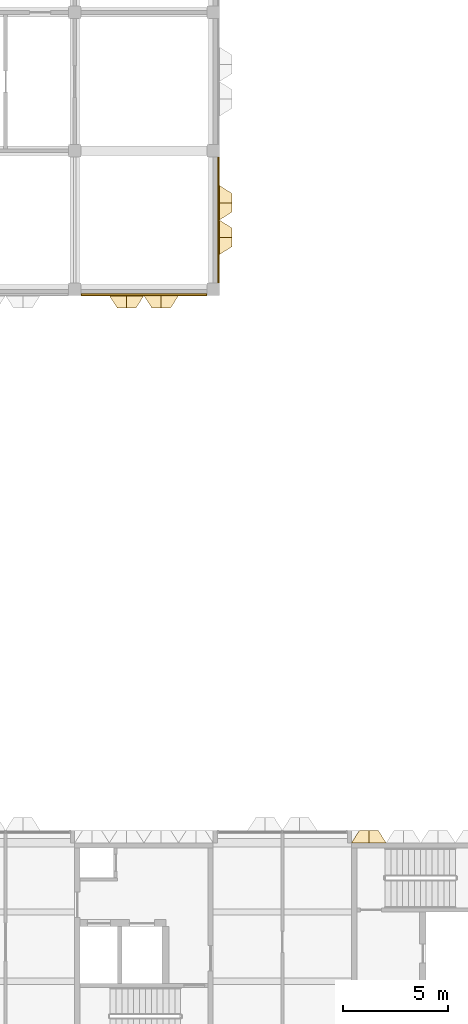
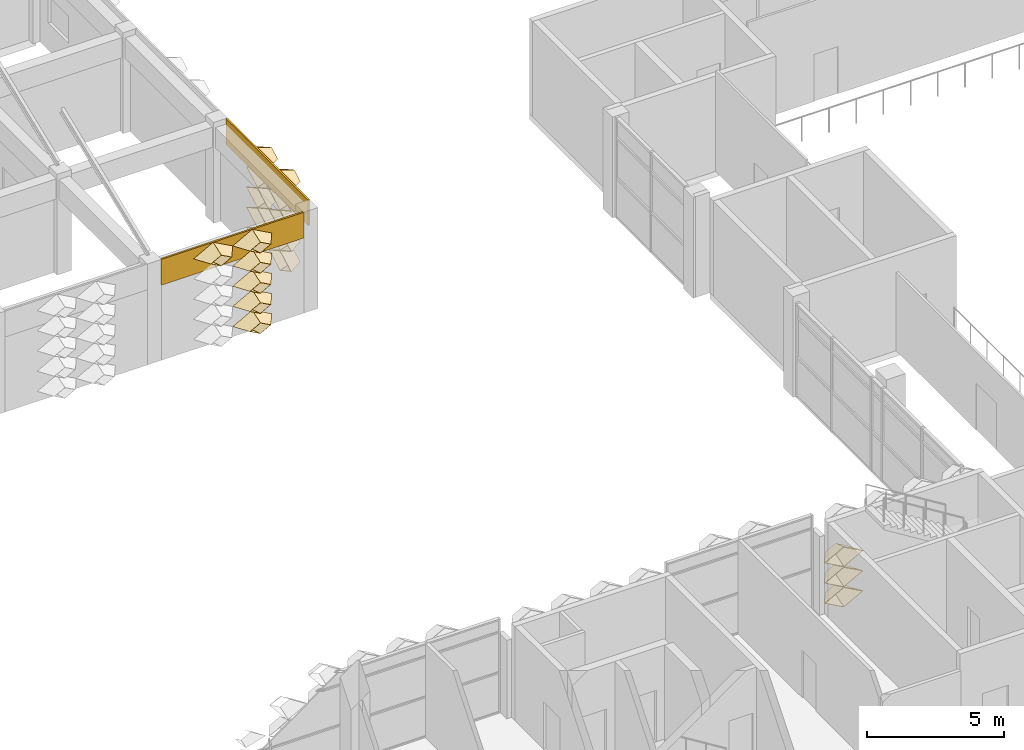
# One storey, part 72 of 102: 21 coverings.
"""IFC4 building model written with IfcOpenShell, lengths in metres."""

import ifcopenshell
import ifcopenshell.guid

model = None  # the IFC model being written
_history = None  # IfcOwnerHistory: only IFC2X3 demands one
_inside = {}  # id of a spatial element -> (the spatial element, [elements in it])
_under = {}  # id of a project, library or spatial element -> (it, [spatial elements below it])
_declared = {}  # id of a project -> (the project, [libraries it declares])
_typed = {}  # id of a type object -> (the type object, [elements of that type])
_made_of = {}  # id of a material, layer set ... -> (it, [elements and type objects made of it])


def new_model(schema):
    """Start an empty IFC model of exactly this schema.

    Asked for "IFC4X3", IfcOpenShell would pick the latest addendum, in which some entities
    have other attributes; the version numbers below select the first issue.
    IFC2X3 requires an IfcOwnerHistory on every rooted entity: one is made here for all.
    """
    global model, _history
    if schema == "IFC4X3":
        model = ifcopenshell.file(schema_version=(4, 3, 0, 0))
    else:
        model = ifcopenshell.file(schema=schema)
    _inside.clear()
    _under.clear()
    _declared.clear()
    _typed.clear()
    _made_of.clear()
    _history = None
    if model.schema == "IFC2X3":
        org = make("IfcOrganization", Name="unknown")
        user = make(
            "IfcPersonAndOrganization",
            ThePerson=make("IfcPerson", FamilyName="unknown"),
            TheOrganization=org,
        )
        app = make(
            "IfcApplication",
            ApplicationDeveloper=org,
            Version="unknown",
            ApplicationFullName="unknown",
            ApplicationIdentifier="unknown",
        )
        _history = make(
            "IfcOwnerHistory",
            OwningUser=user,
            OwningApplication=app,
            ChangeAction="ADDED",
            CreationDate=0,
        )
    return model


def make(cls, **values):
    """One entity of the class cls with the attributes given. An attribute that is None is left unset."""
    return model.create_entity(
        cls, **{name: value for name, value in values.items() if value is not None}
    )


def entity(cls, *values):
    """Any entity or typed value of the class cls, its attributes in the order of the schema. None: left unset."""
    e = model.create_entity(cls)
    for i, value in enumerate(values):
        if value is not None:
            e[i] = value
    return e


def rooted(cls, **values):
    """An entity with a GlobalId (a new one), such as an element, a storey or a relation."""
    return make(cls, GlobalId=ifcopenshell.guid.new(), OwnerHistory=_history, **values)


def si_unit(unit_type, name, prefix=None):
    """IfcSIUnit, for example si_unit("LENGTHUNIT", "METRE", prefix="MILLI")."""
    return make("IfcSIUnit", UnitType=unit_type, Prefix=prefix, Name=name)


def assignment(units):
    """IfcUnitAssignment: the units of a project."""
    return None if units is None else make("IfcUnitAssignment", Units=units)


def point(xyz):
    """IfcCartesianPoint."""
    return None if xyz is None else make("IfcCartesianPoint", Coordinates=xyz)


def direction(xyz):
    """IfcDirection."""
    return None if xyz is None else make("IfcDirection", DirectionRatios=xyz)


def frame(location, z_axis=None, x_axis=None):
    """IfcAxis2Placement3D, a coordinate frame: its origin and axes. An axis left out is left unset."""
    return make(
        "IfcAxis2Placement3D",
        Location=point(location),
        Axis=direction(z_axis),
        RefDirection=direction(x_axis),
    )


def frame_2d(location, x_axis=None):
    """IfcAxis2Placement2D, a coordinate frame in the plane: its origin and x axis."""
    return make(
        "IfcAxis2Placement2D", Location=point(location), RefDirection=direction(x_axis)
    )


def origin():
    """The frame at (0, 0, 0) with its axes left unset."""
    return frame((0.0, 0.0, 0.0))


def place(relative_to, where):
    """IfcLocalPlacement: puts the frame where relative to a parent placement (None: the world)."""
    return make(
        "IfcLocalPlacement", PlacementRelTo=relative_to, RelativePlacement=where
    )


def context(
    kind, dimensions, precision=None, world=None, true_north=None, identifier=None
):
    """IfcGeometricRepresentationContext, for example the 3D "Model" context."""
    return make(
        "IfcGeometricRepresentationContext",
        ContextIdentifier=identifier,
        ContextType=kind,
        CoordinateSpaceDimension=dimensions,
        Precision=precision,
        WorldCoordinateSystem=world,
        TrueNorth=true_north,
    )


def subcontext(parent, identifier, kind, view, scale=None):
    """IfcGeometricRepresentationSubContext, for example "Body" below "Model"."""
    return make(
        "IfcGeometricRepresentationSubContext",
        ContextIdentifier=identifier,
        ContextType=kind,
        ParentContext=parent,
        TargetScale=scale,
        TargetView=view,
    )


def project(units=None, contexts=None):
    """IfcProject with its units and contexts."""
    return rooted(
        "IfcProject",
        Name="project",
        RepresentationContexts=contexts,
        UnitsInContext=assignment(units),
    )


def spatial(cls, under=None, at=None, **own):
    """A site, building, storey or space (cls), placed at a placement, below another one or the project."""
    s = rooted(cls, ObjectPlacement=at, **own)
    if under is not None:
        _under.setdefault(under.id(), (under, []))[1].append(s)
    return s


def profile(cls, at=None, kind="AREA", **sizes):
    """A parametric profile (cls). Its sizes go by their IFC names, for example OverallWidth=200.0."""
    return make(cls, ProfileType=kind, Position=at, **sizes)


def rectangle(**sizes):
    """IfcRectangleProfileDef."""
    return profile("IfcRectangleProfileDef", **sizes)


def extrude(swept, where, along, depth):
    """IfcExtrudedAreaSolid: the profile swept, set in the frame where, extruded along a direction by depth."""
    return make(
        "IfcExtrudedAreaSolid",
        SweptArea=swept,
        Position=where,
        ExtrudedDirection=direction(along),
        Depth=depth,
    )


def shape(context_of_items, identifier, shape_type, items):
    """IfcShapeRepresentation: the items that make up one representation, for example the "Body"."""
    return make(
        "IfcShapeRepresentation",
        ContextOfItems=context_of_items,
        RepresentationIdentifier=identifier,
        RepresentationType=shape_type,
        Items=items,
    )


def material(Name=None, Category=None):
    """IfcMaterial."""
    return make("IfcMaterial", Name=Name, Category=Category)


def layer(
    of_material, thickness, ventilated=None, Name=None, Category=None, Priority=None
):
    """IfcMaterialLayer: one layer of a wall or slab, of a material (None: an air gap)."""
    return make(
        "IfcMaterialLayer",
        Material=of_material,
        LayerThickness=thickness,
        IsVentilated=ventilated,
        Name=Name,
        Category=Category,
        Priority=Priority,
    )


def layer_set(layers, Name=None):
    """IfcMaterialLayerSet."""
    return make("IfcMaterialLayerSet", MaterialLayers=layers, LayerSetName=Name)


def made_of(thing, what):
    """Note that an element or type object is made of a material, layer set ...; save() writes the relation."""
    if what is not None:
        _made_of.setdefault(what.id(), (what, []))[1].append(thing)
    return thing


def type_object(cls, material=None, **own):
    """A type object (cls), such as IfcWallType, which elements share."""
    return made_of(rooted(cls, **own), material)


def element(
    cls,
    number,
    at=None,
    inside=None,
    cuts=None,
    type_object=None,
    material=None,
    context=None,
    identifier="Body",
    shape_type=None,
    held_by="IfcProductDefinitionShape",
    body=None,
    shapes=None,
    **own,
):
    """One element of the class cls, such as IfcWall. Its Tag is "e" and its number.

    at: its placement. inside: the storey or other place that contains it. cuts: it is an
    opening in that element (IfcRelVoidsElement). A single representation is given by context,
    identifier, shape_type and body (its items); several are given by shapes. held_by: the class
    of the entity that holds the representations. save() writes the other relations.
    """
    e = rooted(cls, Tag="e%d" % number, ObjectPlacement=at, **own)
    if body is not None:
        shapes = [shape(context, identifier, shape_type, body)]
    if shapes is not None:
        e.Representation = make(held_by, Representations=shapes)
    if inside is not None:
        _inside.setdefault(inside.id(), (inside, []))[1].append(e)
    if cuts is not None:
        rooted(
            "IfcRelVoidsElement", RelatingBuildingElement=cuts, RelatedOpeningElement=e
        )
    if type_object is not None:
        _typed.setdefault(type_object.id(), (type_object, []))[1].append(e)
    return made_of(e, material)


def aggregate(whole, parts):
    """IfcRelAggregates: a whole, such as a stair, and the parts it consists of."""
    return rooted("IfcRelAggregates", RelatingObject=whole, RelatedObjects=parts)


def save(model, path):
    """Write the relations noted so far, then the file.

    IfcRelAggregates (storeys below a building ...), IfcRelContainedInSpatialStructure (elements
    in a storey), IfcRelDefinesByType, IfcRelAssociatesMaterial and IfcRelDeclares: one each for
    every whole, place, type object, material and project.
    """
    for whole, parts in _under.values():
        aggregate(whole, parts)
    for where, things in _inside.values():
        rooted(
            "IfcRelContainedInSpatialStructure",
            RelatedElements=things,
            RelatingStructure=where,
        )
    for kind, things in _typed.values():
        rooted("IfcRelDefinesByType", RelatedObjects=things, RelatingType=kind)
    for what, things in _made_of.values():
        rooted("IfcRelAssociatesMaterial", RelatedObjects=things, RelatingMaterial=what)
    for by, libraries in _declared.values():
        rooted("IfcRelDeclares", RelatingContext=by, RelatedDefinitions=libraries)
    model.write(path)


model = new_model("IFC4")

# Units and contexts
model_context = context("Model", 3, precision=1e-05, world=origin(), true_north=direction((0.0, 1.0)))
body_context = subcontext(model_context, "Body", "Model", "MODEL_VIEW")
ifc_project = project(units=[si_unit("LENGTHUNIT", "METRE"), si_unit("AREAUNIT", "SQUARE_METRE"), si_unit("VOLUMEUNIT", "CUBIC_METRE"), si_unit("PLANEANGLEUNIT", "RADIAN"), si_unit("MASSUNIT", "GRAM", prefix="KILO")], contexts=[model_context])

# Site, building, storey
site_placement = place(None, origin())
site = spatial("IfcSite", under=ifc_project, at=site_placement, CompositionType="ELEMENT")
building_placement = place(site_placement, origin())
building = spatial("IfcBuilding", under=site, at=building_placement, Name="Lantern Court Research Institute", CompositionType="ELEMENT")
storey_placement = place(building_placement, frame((0.0, 0.0, 9.89990234375)))
storey = spatial("IfcBuildingStorey", under=building, at=storey_placement, Name="L02", CompositionType="ELEMENT", Elevation=9.89990234375)

# Coverings
ifc_material_1 = material(Name="Aluminium composite panel with mineral wool insulation", Category="aluminium")
ifc_layer_1 = layer(ifc_material_1, 0.074951171875)
ifc_layer_set_1 = layer_set([ifc_layer_1], Name="Aluminium composite panel with mineral wool insulation")
covering_type_1 = type_object("IfcCoveringType", Name="Edge fascia panel 75 aluminium faced", PredefinedType="CLADDING", material=ifc_layer_set_1)
for number, where, z_axis, x_axis, name in (
    (1, (26.66259765625, 55.800048828125, 3.35009765625), (0.0, 0.0, 1.0), (0.0, -1.0, 0.0), "Edge fascia V3E L02 01"),
    (2, (26.10009765625, 49.237548828125, 3.35009765625), (0.0, 0.0, 1.0), (-1.0, 0.0, 0.0), "Edge fascia V3S L02 03"),
):
    element("IfcCovering", number, at=place(storey_placement, frame(where, z_axis=z_axis, x_axis=x_axis)), inside=storey, type_object=covering_type_1, Name=name, PredefinedType="CLADDING", context=body_context, shape_type="SweptSolid", body=[
        extrude(rectangle(XDim=6.0, YDim=0.074951171875, at=frame_2d((3.0, 0.0))), origin(), (0.0, 0.0, 1.0), 1.14990234375),
    ])
ifc_material_2 = material(Name="Anodised aluminium", Category="aluminium")
ifc_layer_2 = layer(ifc_material_2, 0.01611328125)
ifc_layer_set_2 = layer_set([ifc_layer_2], Name="Anodised aluminium")
covering_type_2 = type_object("IfcCoveringType", Name="Fin cassette 1650 x 900 x 600 aluminium", PredefinedType="CLADDING", material=ifc_layer_set_2)
covering_1_placement = place(storey_placement, frame((26.699951171875, 51.97509765625, 0.4501953125), z_axis=(1.0, 0.0, 0.0), x_axis=(0.0, 1.0, 0.0)))
cartesian_point_1 = entity("IfcCartesianPoint", [0.824951171875, 0.0])
cartesian_point_2 = entity("IfcCartesianPoint", [0.79150390625, 0.0])
cartesian_point_3 = entity("IfcCartesianPoint", [0.44189453125, 0.0])
cartesian_point_4 = entity("IfcCartesianPoint", [0.43359375, 0.0])
element("IfcCovering", 3, at=covering_1_placement, inside=storey, type_object=covering_type_2, Name="Fin cassette V3E-L02 1.32", PredefinedType="CLADDING", context=body_context, shape_type="SweptSolid", body=[
    entity("IfcExtrudedAreaSolidTapered", entity("IfcArbitraryProfileDefWithVoids", "AREA", None, entity("IfcPolyline", [cartesian_point_1, entity("IfcCartesianPoint", [0.0, 0.449951171875]), entity("IfcCartesianPoint", [-0.824951171875, 0.0]), entity("IfcCartesianPoint", [0.0, -0.449951171875]), cartesian_point_1]), [entity("IfcPolyline", [cartesian_point_2, entity("IfcCartesianPoint", [0.0, 0.431884765625]), entity("IfcCartesianPoint", [-0.79150390625, 0.0]), entity("IfcCartesianPoint", [0.0, -0.431884765625]), cartesian_point_2])]), entity("IfcAxis2Placement3D", entity("IfcCartesianPoint", [0.0, 0.0, 0.0])), entity("IfcDirection", [0.0, 0.0, 1.0]), 0.60009765625, entity("IfcArbitraryProfileDefWithVoids", "AREA", None, entity("IfcPolyline", [cartesian_point_3, entity("IfcCartesianPoint", [0.0, 0.240966796875]), entity("IfcCartesianPoint", [-0.44189453125, 0.0]), entity("IfcCartesianPoint", [0.0, -0.240966796875]), cartesian_point_3]), [entity("IfcPolyline", [cartesian_point_4, entity("IfcCartesianPoint", [0.0, 0.236572265625]), entity("IfcCartesianPoint", [-0.43359375, 0.0]), entity("IfcCartesianPoint", [0.0, -0.236572265625]), cartesian_point_4])])),
])
covering_2_placement = place(storey_placement, frame((26.699951171875, 53.625, 0.4501953125), z_axis=(1.0, 0.0, 0.0), x_axis=(0.0, 1.0, 0.0)))
cartesian_point_5 = entity("IfcCartesianPoint", [0.824951171875, 0.0])
cartesian_point_6 = entity("IfcCartesianPoint", [0.79150390625, 0.0])
cartesian_point_7 = entity("IfcCartesianPoint", [0.44189453125, 0.0])
cartesian_point_8 = entity("IfcCartesianPoint", [0.43359375, 0.0])
element("IfcCovering", 4, at=covering_2_placement, inside=storey, type_object=covering_type_2, Name="Fin cassette V3E-L02 1.33", PredefinedType="CLADDING", context=body_context, shape_type="SweptSolid", body=[
    entity("IfcExtrudedAreaSolidTapered", entity("IfcArbitraryProfileDefWithVoids", "AREA", None, entity("IfcPolyline", [cartesian_point_5, entity("IfcCartesianPoint", [0.0, 0.449951171875]), entity("IfcCartesianPoint", [-0.824951171875, 0.0]), entity("IfcCartesianPoint", [0.0, -0.449951171875]), cartesian_point_5]), [entity("IfcPolyline", [cartesian_point_6, entity("IfcCartesianPoint", [0.0, 0.431884765625]), entity("IfcCartesianPoint", [-0.79150390625, 0.0]), entity("IfcCartesianPoint", [0.0, -0.431884765625]), cartesian_point_6])]), entity("IfcAxis2Placement3D", entity("IfcCartesianPoint", [0.0, 0.0, 0.0])), entity("IfcDirection", [0.0, 0.0, 1.0]), 0.60009765625, entity("IfcArbitraryProfileDefWithVoids", "AREA", None, entity("IfcPolyline", [cartesian_point_7, entity("IfcCartesianPoint", [0.0, 0.240966796875]), entity("IfcCartesianPoint", [-0.44189453125, 0.0]), entity("IfcCartesianPoint", [0.0, -0.240966796875]), cartesian_point_7]), [entity("IfcPolyline", [cartesian_point_8, entity("IfcCartesianPoint", [0.0, 0.236572265625]), entity("IfcCartesianPoint", [-0.43359375, 0.0]), entity("IfcCartesianPoint", [0.0, -0.236572265625]), cartesian_point_8])])),
])
covering_3_placement = place(storey_placement, frame((26.699951171875, 51.97509765625, 1.35009765625), z_axis=(1.0, 0.0, 0.0), x_axis=(0.0, 1.0, 0.0)))
cartesian_point_9 = entity("IfcCartesianPoint", [0.824951171875, 0.0])
cartesian_point_10 = entity("IfcCartesianPoint", [0.79150390625, 0.0])
cartesian_point_11 = entity("IfcCartesianPoint", [0.44189453125, 0.0])
cartesian_point_12 = entity("IfcCartesianPoint", [0.43359375, 0.0])
element("IfcCovering", 5, at=covering_3_placement, inside=storey, type_object=covering_type_2, Name="Fin cassette V3E-L02 2.32", PredefinedType="CLADDING", context=body_context, shape_type="SweptSolid", body=[
    entity("IfcExtrudedAreaSolidTapered", entity("IfcArbitraryProfileDefWithVoids", "AREA", None, entity("IfcPolyline", [cartesian_point_9, entity("IfcCartesianPoint", [0.0, 0.449951171875]), entity("IfcCartesianPoint", [-0.824951171875, 0.0]), entity("IfcCartesianPoint", [0.0, -0.449951171875]), cartesian_point_9]), [entity("IfcPolyline", [cartesian_point_10, entity("IfcCartesianPoint", [0.0, 0.431884765625]), entity("IfcCartesianPoint", [-0.79150390625, 0.0]), entity("IfcCartesianPoint", [0.0, -0.431884765625]), cartesian_point_10])]), entity("IfcAxis2Placement3D", entity("IfcCartesianPoint", [0.0, 0.0, 0.0])), entity("IfcDirection", [0.0, 0.0, 1.0]), 0.60009765625, entity("IfcArbitraryProfileDefWithVoids", "AREA", None, entity("IfcPolyline", [cartesian_point_11, entity("IfcCartesianPoint", [0.0, 0.240966796875]), entity("IfcCartesianPoint", [-0.44189453125, 0.0]), entity("IfcCartesianPoint", [0.0, -0.240966796875]), cartesian_point_11]), [entity("IfcPolyline", [cartesian_point_12, entity("IfcCartesianPoint", [0.0, 0.236572265625]), entity("IfcCartesianPoint", [-0.43359375, 0.0]), entity("IfcCartesianPoint", [0.0, -0.236572265625]), cartesian_point_12])])),
])
covering_4_placement = place(storey_placement, frame((26.699951171875, 53.625, 1.35009765625), z_axis=(1.0, 0.0, 0.0), x_axis=(0.0, 1.0, 0.0)))
cartesian_point_13 = entity("IfcCartesianPoint", [0.824951171875, 0.0])
cartesian_point_14 = entity("IfcCartesianPoint", [0.79150390625, 0.0])
cartesian_point_15 = entity("IfcCartesianPoint", [0.44189453125, 0.0])
cartesian_point_16 = entity("IfcCartesianPoint", [0.43359375, 0.0])
element("IfcCovering", 6, at=covering_4_placement, inside=storey, type_object=covering_type_2, Name="Fin cassette V3E-L02 2.33", PredefinedType="CLADDING", context=body_context, shape_type="SweptSolid", body=[
    entity("IfcExtrudedAreaSolidTapered", entity("IfcArbitraryProfileDefWithVoids", "AREA", None, entity("IfcPolyline", [cartesian_point_13, entity("IfcCartesianPoint", [0.0, 0.449951171875]), entity("IfcCartesianPoint", [-0.824951171875, 0.0]), entity("IfcCartesianPoint", [0.0, -0.449951171875]), cartesian_point_13]), [entity("IfcPolyline", [cartesian_point_14, entity("IfcCartesianPoint", [0.0, 0.431884765625]), entity("IfcCartesianPoint", [-0.79150390625, 0.0]), entity("IfcCartesianPoint", [0.0, -0.431884765625]), cartesian_point_14])]), entity("IfcAxis2Placement3D", entity("IfcCartesianPoint", [0.0, 0.0, 0.0])), entity("IfcDirection", [0.0, 0.0, 1.0]), 0.60009765625, entity("IfcArbitraryProfileDefWithVoids", "AREA", None, entity("IfcPolyline", [cartesian_point_15, entity("IfcCartesianPoint", [0.0, 0.240966796875]), entity("IfcCartesianPoint", [-0.44189453125, 0.0]), entity("IfcCartesianPoint", [0.0, -0.240966796875]), cartesian_point_15]), [entity("IfcPolyline", [cartesian_point_16, entity("IfcCartesianPoint", [0.0, 0.236572265625]), entity("IfcCartesianPoint", [-0.43359375, 0.0]), entity("IfcCartesianPoint", [0.0, -0.236572265625]), cartesian_point_16])])),
])
covering_5_placement = place(storey_placement, frame((26.699951171875, 51.97509765625, 2.25), z_axis=(1.0, 0.0, 0.0), x_axis=(0.0, 1.0, 0.0)))
cartesian_point_17 = entity("IfcCartesianPoint", [0.824951171875, 0.0])
cartesian_point_18 = entity("IfcCartesianPoint", [0.79150390625, 0.0])
cartesian_point_19 = entity("IfcCartesianPoint", [0.44189453125, 0.0])
cartesian_point_20 = entity("IfcCartesianPoint", [0.43359375, 0.0])
element("IfcCovering", 7, at=covering_5_placement, inside=storey, type_object=covering_type_2, Name="Fin cassette V3E-L02 3.32", PredefinedType="CLADDING", context=body_context, shape_type="SweptSolid", body=[
    entity("IfcExtrudedAreaSolidTapered", entity("IfcArbitraryProfileDefWithVoids", "AREA", None, entity("IfcPolyline", [cartesian_point_17, entity("IfcCartesianPoint", [0.0, 0.449951171875]), entity("IfcCartesianPoint", [-0.824951171875, 0.0]), entity("IfcCartesianPoint", [0.0, -0.449951171875]), cartesian_point_17]), [entity("IfcPolyline", [cartesian_point_18, entity("IfcCartesianPoint", [0.0, 0.431884765625]), entity("IfcCartesianPoint", [-0.79150390625, 0.0]), entity("IfcCartesianPoint", [0.0, -0.431884765625]), cartesian_point_18])]), entity("IfcAxis2Placement3D", entity("IfcCartesianPoint", [0.0, 0.0, 0.0])), entity("IfcDirection", [0.0, 0.0, 1.0]), 0.60009765625, entity("IfcArbitraryProfileDefWithVoids", "AREA", None, entity("IfcPolyline", [cartesian_point_19, entity("IfcCartesianPoint", [0.0, 0.240966796875]), entity("IfcCartesianPoint", [-0.44189453125, 0.0]), entity("IfcCartesianPoint", [0.0, -0.240966796875]), cartesian_point_19]), [entity("IfcPolyline", [cartesian_point_20, entity("IfcCartesianPoint", [0.0, 0.236572265625]), entity("IfcCartesianPoint", [-0.43359375, 0.0]), entity("IfcCartesianPoint", [0.0, -0.236572265625]), cartesian_point_20])])),
])
covering_6_placement = place(storey_placement, frame((26.699951171875, 53.625, 2.25), z_axis=(1.0, 0.0, 0.0), x_axis=(0.0, 1.0, 0.0)))
cartesian_point_21 = entity("IfcCartesianPoint", [0.824951171875, 0.0])
cartesian_point_22 = entity("IfcCartesianPoint", [0.79150390625, 0.0])
cartesian_point_23 = entity("IfcCartesianPoint", [0.44189453125, 0.0])
cartesian_point_24 = entity("IfcCartesianPoint", [0.43359375, 0.0])
element("IfcCovering", 8, at=covering_6_placement, inside=storey, type_object=covering_type_2, Name="Fin cassette V3E-L02 3.33", PredefinedType="CLADDING", context=body_context, shape_type="SweptSolid", body=[
    entity("IfcExtrudedAreaSolidTapered", entity("IfcArbitraryProfileDefWithVoids", "AREA", None, entity("IfcPolyline", [cartesian_point_21, entity("IfcCartesianPoint", [0.0, 0.449951171875]), entity("IfcCartesianPoint", [-0.824951171875, 0.0]), entity("IfcCartesianPoint", [0.0, -0.449951171875]), cartesian_point_21]), [entity("IfcPolyline", [cartesian_point_22, entity("IfcCartesianPoint", [0.0, 0.431884765625]), entity("IfcCartesianPoint", [-0.79150390625, 0.0]), entity("IfcCartesianPoint", [0.0, -0.431884765625]), cartesian_point_22])]), entity("IfcAxis2Placement3D", entity("IfcCartesianPoint", [0.0, 0.0, 0.0])), entity("IfcDirection", [0.0, 0.0, 1.0]), 0.60009765625, entity("IfcArbitraryProfileDefWithVoids", "AREA", None, entity("IfcPolyline", [cartesian_point_23, entity("IfcCartesianPoint", [0.0, 0.240966796875]), entity("IfcCartesianPoint", [-0.44189453125, 0.0]), entity("IfcCartesianPoint", [0.0, -0.240966796875]), cartesian_point_23]), [entity("IfcPolyline", [cartesian_point_24, entity("IfcCartesianPoint", [0.0, 0.236572265625]), entity("IfcCartesianPoint", [-0.43359375, 0.0]), entity("IfcCartesianPoint", [0.0, -0.236572265625]), cartesian_point_24])])),
])
covering_7_placement = place(storey_placement, frame((26.699951171875, 51.97509765625, 3.150146484375), z_axis=(1.0, 0.0, 0.0), x_axis=(0.0, 1.0, 0.0)))
cartesian_point_25 = entity("IfcCartesianPoint", [0.824951171875, 0.0])
cartesian_point_26 = entity("IfcCartesianPoint", [0.79150390625, 0.0])
cartesian_point_27 = entity("IfcCartesianPoint", [0.44189453125, 0.0])
cartesian_point_28 = entity("IfcCartesianPoint", [0.43359375, 0.0])
element("IfcCovering", 9, at=covering_7_placement, inside=storey, type_object=covering_type_2, Name="Fin cassette V3E-L02 4.32", PredefinedType="CLADDING", context=body_context, shape_type="SweptSolid", body=[
    entity("IfcExtrudedAreaSolidTapered", entity("IfcArbitraryProfileDefWithVoids", "AREA", None, entity("IfcPolyline", [cartesian_point_25, entity("IfcCartesianPoint", [0.0, 0.449951171875]), entity("IfcCartesianPoint", [-0.824951171875, 0.0]), entity("IfcCartesianPoint", [0.0, -0.449951171875]), cartesian_point_25]), [entity("IfcPolyline", [cartesian_point_26, entity("IfcCartesianPoint", [0.0, 0.431884765625]), entity("IfcCartesianPoint", [-0.79150390625, 0.0]), entity("IfcCartesianPoint", [0.0, -0.431884765625]), cartesian_point_26])]), entity("IfcAxis2Placement3D", entity("IfcCartesianPoint", [0.0, 0.0, 0.0])), entity("IfcDirection", [0.0, 0.0, 1.0]), 0.60009765625, entity("IfcArbitraryProfileDefWithVoids", "AREA", None, entity("IfcPolyline", [cartesian_point_27, entity("IfcCartesianPoint", [0.0, 0.240966796875]), entity("IfcCartesianPoint", [-0.44189453125, 0.0]), entity("IfcCartesianPoint", [0.0, -0.240966796875]), cartesian_point_27]), [entity("IfcPolyline", [cartesian_point_28, entity("IfcCartesianPoint", [0.0, 0.236572265625]), entity("IfcCartesianPoint", [-0.43359375, 0.0]), entity("IfcCartesianPoint", [0.0, -0.236572265625]), cartesian_point_28])])),
])
covering_8_placement = place(storey_placement, frame((26.699951171875, 53.625, 3.150146484375), z_axis=(1.0, 0.0, 0.0), x_axis=(0.0, 1.0, 0.0)))
cartesian_point_29 = entity("IfcCartesianPoint", [0.824951171875, 0.0])
cartesian_point_30 = entity("IfcCartesianPoint", [0.79150390625, 0.0])
cartesian_point_31 = entity("IfcCartesianPoint", [0.44189453125, 0.0])
cartesian_point_32 = entity("IfcCartesianPoint", [0.43359375, 0.0])
element("IfcCovering", 10, at=covering_8_placement, inside=storey, type_object=covering_type_2, Name="Fin cassette V3E-L02 4.33", PredefinedType="CLADDING", context=body_context, shape_type="SweptSolid", body=[
    entity("IfcExtrudedAreaSolidTapered", entity("IfcArbitraryProfileDefWithVoids", "AREA", None, entity("IfcPolyline", [cartesian_point_29, entity("IfcCartesianPoint", [0.0, 0.449951171875]), entity("IfcCartesianPoint", [-0.824951171875, 0.0]), entity("IfcCartesianPoint", [0.0, -0.449951171875]), cartesian_point_29]), [entity("IfcPolyline", [cartesian_point_30, entity("IfcCartesianPoint", [0.0, 0.431884765625]), entity("IfcCartesianPoint", [-0.79150390625, 0.0]), entity("IfcCartesianPoint", [0.0, -0.431884765625]), cartesian_point_30])]), entity("IfcAxis2Placement3D", entity("IfcCartesianPoint", [0.0, 0.0, 0.0])), entity("IfcDirection", [0.0, 0.0, 1.0]), 0.60009765625, entity("IfcArbitraryProfileDefWithVoids", "AREA", None, entity("IfcPolyline", [cartesian_point_31, entity("IfcCartesianPoint", [0.0, 0.240966796875]), entity("IfcCartesianPoint", [-0.44189453125, 0.0]), entity("IfcCartesianPoint", [0.0, -0.240966796875]), cartesian_point_31]), [entity("IfcPolyline", [cartesian_point_32, entity("IfcCartesianPoint", [0.0, 0.236572265625]), entity("IfcCartesianPoint", [-0.43359375, 0.0]), entity("IfcCartesianPoint", [0.0, -0.236572265625]), cartesian_point_32])])),
])
covering_9_placement = place(storey_placement, frame((26.699951171875, 51.97509765625, 4.050048828125), z_axis=(1.0, 0.0, 0.0), x_axis=(0.0, 1.0, 0.0)))
cartesian_point_33 = entity("IfcCartesianPoint", [0.824951171875, 0.0])
cartesian_point_34 = entity("IfcCartesianPoint", [0.79150390625, 0.0])
cartesian_point_35 = entity("IfcCartesianPoint", [0.44189453125, 0.0])
cartesian_point_36 = entity("IfcCartesianPoint", [0.43359375, 0.0])
element("IfcCovering", 11, at=covering_9_placement, inside=storey, type_object=covering_type_2, Name="Fin cassette V3E-L02 5.32", PredefinedType="CLADDING", context=body_context, shape_type="SweptSolid", body=[
    entity("IfcExtrudedAreaSolidTapered", entity("IfcArbitraryProfileDefWithVoids", "AREA", None, entity("IfcPolyline", [cartesian_point_33, entity("IfcCartesianPoint", [0.0, 0.449951171875]), entity("IfcCartesianPoint", [-0.824951171875, 0.0]), entity("IfcCartesianPoint", [0.0, -0.449951171875]), cartesian_point_33]), [entity("IfcPolyline", [cartesian_point_34, entity("IfcCartesianPoint", [0.0, 0.431884765625]), entity("IfcCartesianPoint", [-0.79150390625, 0.0]), entity("IfcCartesianPoint", [0.0, -0.431884765625]), cartesian_point_34])]), entity("IfcAxis2Placement3D", entity("IfcCartesianPoint", [0.0, 0.0, 0.0])), entity("IfcDirection", [0.0, 0.0, 1.0]), 0.60009765625, entity("IfcArbitraryProfileDefWithVoids", "AREA", None, entity("IfcPolyline", [cartesian_point_35, entity("IfcCartesianPoint", [0.0, 0.240966796875]), entity("IfcCartesianPoint", [-0.44189453125, 0.0]), entity("IfcCartesianPoint", [0.0, -0.240966796875]), cartesian_point_35]), [entity("IfcPolyline", [cartesian_point_36, entity("IfcCartesianPoint", [0.0, 0.236572265625]), entity("IfcCartesianPoint", [-0.43359375, 0.0]), entity("IfcCartesianPoint", [0.0, -0.236572265625]), cartesian_point_36])])),
])
covering_10_placement = place(storey_placement, frame((26.699951171875, 53.625, 4.050048828125), z_axis=(1.0, 0.0, 0.0), x_axis=(0.0, 1.0, 0.0)))
cartesian_point_37 = entity("IfcCartesianPoint", [0.824951171875, 0.0])
cartesian_point_38 = entity("IfcCartesianPoint", [0.79150390625, 0.0])
cartesian_point_39 = entity("IfcCartesianPoint", [0.44189453125, 0.0])
cartesian_point_40 = entity("IfcCartesianPoint", [0.43359375, 0.0])
element("IfcCovering", 12, at=covering_10_placement, inside=storey, type_object=covering_type_2, Name="Fin cassette V3E-L02 5.33", PredefinedType="CLADDING", context=body_context, shape_type="SweptSolid", body=[
    entity("IfcExtrudedAreaSolidTapered", entity("IfcArbitraryProfileDefWithVoids", "AREA", None, entity("IfcPolyline", [cartesian_point_37, entity("IfcCartesianPoint", [0.0, 0.449951171875]), entity("IfcCartesianPoint", [-0.824951171875, 0.0]), entity("IfcCartesianPoint", [0.0, -0.449951171875]), cartesian_point_37]), [entity("IfcPolyline", [cartesian_point_38, entity("IfcCartesianPoint", [0.0, 0.431884765625]), entity("IfcCartesianPoint", [-0.79150390625, 0.0]), entity("IfcCartesianPoint", [0.0, -0.431884765625]), cartesian_point_38])]), entity("IfcAxis2Placement3D", entity("IfcCartesianPoint", [0.0, 0.0, 0.0])), entity("IfcDirection", [0.0, 0.0, 1.0]), 0.60009765625, entity("IfcArbitraryProfileDefWithVoids", "AREA", None, entity("IfcPolyline", [cartesian_point_39, entity("IfcCartesianPoint", [0.0, 0.240966796875]), entity("IfcCartesianPoint", [-0.44189453125, 0.0]), entity("IfcCartesianPoint", [0.0, -0.240966796875]), cartesian_point_39]), [entity("IfcPolyline", [cartesian_point_40, entity("IfcCartesianPoint", [0.0, 0.236572265625]), entity("IfcCartesianPoint", [-0.43359375, 0.0]), entity("IfcCartesianPoint", [0.0, -0.236572265625]), cartesian_point_40])])),
])
covering_11_placement = place(storey_placement, frame((23.925048828125, 49.199951171875, 0.4501953125), z_axis=(0.0, -1.0, 0.0), x_axis=(1.0, 0.0, 0.0)))
cartesian_point_41 = entity("IfcCartesianPoint", [0.824951171875, 0.0])
cartesian_point_42 = entity("IfcCartesianPoint", [0.79150390625, 0.0])
cartesian_point_43 = entity("IfcCartesianPoint", [0.44189453125, 0.0])
cartesian_point_44 = entity("IfcCartesianPoint", [0.43359375, 0.0])
element("IfcCovering", 13, at=covering_11_placement, inside=storey, type_object=covering_type_2, Name="Fin cassette V3S-L02 1.15", PredefinedType="CLADDING", context=body_context, shape_type="SweptSolid", body=[
    entity("IfcExtrudedAreaSolidTapered", entity("IfcArbitraryProfileDefWithVoids", "AREA", None, entity("IfcPolyline", [cartesian_point_41, entity("IfcCartesianPoint", [0.0, 0.449951171875]), entity("IfcCartesianPoint", [-0.824951171875, 0.0]), entity("IfcCartesianPoint", [0.0, -0.449951171875]), cartesian_point_41]), [entity("IfcPolyline", [cartesian_point_42, entity("IfcCartesianPoint", [0.0, 0.431884765625]), entity("IfcCartesianPoint", [-0.79150390625, 0.0]), entity("IfcCartesianPoint", [0.0, -0.431884765625]), cartesian_point_42])]), entity("IfcAxis2Placement3D", entity("IfcCartesianPoint", [0.0, 0.0, 0.0])), entity("IfcDirection", [0.0, 0.0, 1.0]), 0.60009765625, entity("IfcArbitraryProfileDefWithVoids", "AREA", None, entity("IfcPolyline", [cartesian_point_43, entity("IfcCartesianPoint", [0.0, 0.240966796875]), entity("IfcCartesianPoint", [-0.44189453125, 0.0]), entity("IfcCartesianPoint", [0.0, -0.240966796875]), cartesian_point_43]), [entity("IfcPolyline", [cartesian_point_44, entity("IfcCartesianPoint", [0.0, 0.236572265625]), entity("IfcCartesianPoint", [-0.43359375, 0.0]), entity("IfcCartesianPoint", [0.0, -0.236572265625]), cartesian_point_44])])),
])
covering_12_placement = place(storey_placement, frame((23.925048828125, 49.199951171875, 1.35009765625), z_axis=(0.0, -1.0, 0.0), x_axis=(1.0, 0.0, 0.0)))
cartesian_point_45 = entity("IfcCartesianPoint", [0.824951171875, 0.0])
cartesian_point_46 = entity("IfcCartesianPoint", [0.79150390625, 0.0])
cartesian_point_47 = entity("IfcCartesianPoint", [0.44189453125, 0.0])
cartesian_point_48 = entity("IfcCartesianPoint", [0.43359375, 0.0])
element("IfcCovering", 14, at=covering_12_placement, inside=storey, type_object=covering_type_2, Name="Fin cassette V3S-L02 2.15", PredefinedType="CLADDING", context=body_context, shape_type="SweptSolid", body=[
    entity("IfcExtrudedAreaSolidTapered", entity("IfcArbitraryProfileDefWithVoids", "AREA", None, entity("IfcPolyline", [cartesian_point_45, entity("IfcCartesianPoint", [0.0, 0.449951171875]), entity("IfcCartesianPoint", [-0.824951171875, 0.0]), entity("IfcCartesianPoint", [0.0, -0.449951171875]), cartesian_point_45]), [entity("IfcPolyline", [cartesian_point_46, entity("IfcCartesianPoint", [0.0, 0.431884765625]), entity("IfcCartesianPoint", [-0.79150390625, 0.0]), entity("IfcCartesianPoint", [0.0, -0.431884765625]), cartesian_point_46])]), entity("IfcAxis2Placement3D", entity("IfcCartesianPoint", [0.0, 0.0, 0.0])), entity("IfcDirection", [0.0, 0.0, 1.0]), 0.60009765625, entity("IfcArbitraryProfileDefWithVoids", "AREA", None, entity("IfcPolyline", [cartesian_point_47, entity("IfcCartesianPoint", [0.0, 0.240966796875]), entity("IfcCartesianPoint", [-0.44189453125, 0.0]), entity("IfcCartesianPoint", [0.0, -0.240966796875]), cartesian_point_47]), [entity("IfcPolyline", [cartesian_point_48, entity("IfcCartesianPoint", [0.0, 0.236572265625]), entity("IfcCartesianPoint", [-0.43359375, 0.0]), entity("IfcCartesianPoint", [0.0, -0.236572265625]), cartesian_point_48])])),
])
covering_13_placement = place(storey_placement, frame((23.925048828125, 49.199951171875, 2.25), z_axis=(0.0, -1.0, 0.0), x_axis=(1.0, 0.0, 0.0)))
cartesian_point_49 = entity("IfcCartesianPoint", [0.824951171875, 0.0])
cartesian_point_50 = entity("IfcCartesianPoint", [0.79150390625, 0.0])
cartesian_point_51 = entity("IfcCartesianPoint", [0.44189453125, 0.0])
cartesian_point_52 = entity("IfcCartesianPoint", [0.43359375, 0.0])
element("IfcCovering", 15, at=covering_13_placement, inside=storey, type_object=covering_type_2, Name="Fin cassette V3S-L02 3.15", PredefinedType="CLADDING", context=body_context, shape_type="SweptSolid", body=[
    entity("IfcExtrudedAreaSolidTapered", entity("IfcArbitraryProfileDefWithVoids", "AREA", None, entity("IfcPolyline", [cartesian_point_49, entity("IfcCartesianPoint", [0.0, 0.449951171875]), entity("IfcCartesianPoint", [-0.824951171875, 0.0]), entity("IfcCartesianPoint", [0.0, -0.449951171875]), cartesian_point_49]), [entity("IfcPolyline", [cartesian_point_50, entity("IfcCartesianPoint", [0.0, 0.431884765625]), entity("IfcCartesianPoint", [-0.79150390625, 0.0]), entity("IfcCartesianPoint", [0.0, -0.431884765625]), cartesian_point_50])]), entity("IfcAxis2Placement3D", entity("IfcCartesianPoint", [0.0, 0.0, 0.0])), entity("IfcDirection", [0.0, 0.0, 1.0]), 0.60009765625, entity("IfcArbitraryProfileDefWithVoids", "AREA", None, entity("IfcPolyline", [cartesian_point_51, entity("IfcCartesianPoint", [0.0, 0.240966796875]), entity("IfcCartesianPoint", [-0.44189453125, 0.0]), entity("IfcCartesianPoint", [0.0, -0.240966796875]), cartesian_point_51]), [entity("IfcPolyline", [cartesian_point_52, entity("IfcCartesianPoint", [0.0, 0.236572265625]), entity("IfcCartesianPoint", [-0.43359375, 0.0]), entity("IfcCartesianPoint", [0.0, -0.236572265625]), cartesian_point_52])])),
])
covering_14_placement = place(storey_placement, frame((23.925048828125, 49.199951171875, 3.150146484375), z_axis=(0.0, -1.0, 0.0), x_axis=(1.0, 0.0, 0.0)))
cartesian_point_53 = entity("IfcCartesianPoint", [0.824951171875, 0.0])
cartesian_point_54 = entity("IfcCartesianPoint", [0.79150390625, 0.0])
cartesian_point_55 = entity("IfcCartesianPoint", [0.44189453125, 0.0])
cartesian_point_56 = entity("IfcCartesianPoint", [0.43359375, 0.0])
element("IfcCovering", 16, at=covering_14_placement, inside=storey, type_object=covering_type_2, Name="Fin cassette V3S-L02 4.15", PredefinedType="CLADDING", context=body_context, shape_type="SweptSolid", body=[
    entity("IfcExtrudedAreaSolidTapered", entity("IfcArbitraryProfileDefWithVoids", "AREA", None, entity("IfcPolyline", [cartesian_point_53, entity("IfcCartesianPoint", [0.0, 0.449951171875]), entity("IfcCartesianPoint", [-0.824951171875, 0.0]), entity("IfcCartesianPoint", [0.0, -0.449951171875]), cartesian_point_53]), [entity("IfcPolyline", [cartesian_point_54, entity("IfcCartesianPoint", [0.0, 0.431884765625]), entity("IfcCartesianPoint", [-0.79150390625, 0.0]), entity("IfcCartesianPoint", [0.0, -0.431884765625]), cartesian_point_54])]), entity("IfcAxis2Placement3D", entity("IfcCartesianPoint", [0.0, 0.0, 0.0])), entity("IfcDirection", [0.0, 0.0, 1.0]), 0.60009765625, entity("IfcArbitraryProfileDefWithVoids", "AREA", None, entity("IfcPolyline", [cartesian_point_55, entity("IfcCartesianPoint", [0.0, 0.240966796875]), entity("IfcCartesianPoint", [-0.44189453125, 0.0]), entity("IfcCartesianPoint", [0.0, -0.240966796875]), cartesian_point_55]), [entity("IfcPolyline", [cartesian_point_56, entity("IfcCartesianPoint", [0.0, 0.236572265625]), entity("IfcCartesianPoint", [-0.43359375, 0.0]), entity("IfcCartesianPoint", [0.0, -0.236572265625]), cartesian_point_56])])),
])
covering_15_placement = place(storey_placement, frame((22.27490234375, 49.199951171875, 4.050048828125), z_axis=(0.0, -1.0, 0.0), x_axis=(1.0, 0.0, 0.0)))
cartesian_point_57 = entity("IfcCartesianPoint", [0.824951171875, 0.0])
cartesian_point_58 = entity("IfcCartesianPoint", [0.79150390625, 0.0])
cartesian_point_59 = entity("IfcCartesianPoint", [0.44189453125, 0.0])
cartesian_point_60 = entity("IfcCartesianPoint", [0.43359375, 0.0])
element("IfcCovering", 17, at=covering_15_placement, inside=storey, type_object=covering_type_2, Name="Fin cassette V3S-L02 5.14", PredefinedType="CLADDING", context=body_context, shape_type="SweptSolid", body=[
    entity("IfcExtrudedAreaSolidTapered", entity("IfcArbitraryProfileDefWithVoids", "AREA", None, entity("IfcPolyline", [cartesian_point_57, entity("IfcCartesianPoint", [0.0, 0.449951171875]), entity("IfcCartesianPoint", [-0.824951171875, 0.0]), entity("IfcCartesianPoint", [0.0, -0.449951171875]), cartesian_point_57]), [entity("IfcPolyline", [cartesian_point_58, entity("IfcCartesianPoint", [0.0, 0.431884765625]), entity("IfcCartesianPoint", [-0.79150390625, 0.0]), entity("IfcCartesianPoint", [0.0, -0.431884765625]), cartesian_point_58])]), entity("IfcAxis2Placement3D", entity("IfcCartesianPoint", [0.0, 0.0, 0.0])), entity("IfcDirection", [0.0, 0.0, 1.0]), 0.60009765625, entity("IfcArbitraryProfileDefWithVoids", "AREA", None, entity("IfcPolyline", [cartesian_point_59, entity("IfcCartesianPoint", [0.0, 0.240966796875]), entity("IfcCartesianPoint", [-0.44189453125, 0.0]), entity("IfcCartesianPoint", [0.0, -0.240966796875]), cartesian_point_59]), [entity("IfcPolyline", [cartesian_point_60, entity("IfcCartesianPoint", [0.0, 0.236572265625]), entity("IfcCartesianPoint", [-0.43359375, 0.0]), entity("IfcCartesianPoint", [0.0, -0.236572265625]), cartesian_point_60])])),
])
covering_16_placement = place(storey_placement, frame((23.925048828125, 49.199951171875, 4.050048828125), z_axis=(0.0, -1.0, 0.0), x_axis=(1.0, 0.0, 0.0)))
cartesian_point_61 = entity("IfcCartesianPoint", [0.824951171875, 0.0])
cartesian_point_62 = entity("IfcCartesianPoint", [0.79150390625, 0.0])
cartesian_point_63 = entity("IfcCartesianPoint", [0.44189453125, 0.0])
cartesian_point_64 = entity("IfcCartesianPoint", [0.43359375, 0.0])
element("IfcCovering", 18, at=covering_16_placement, inside=storey, type_object=covering_type_2, Name="Fin cassette V3S-L02 5.15", PredefinedType="CLADDING", context=body_context, shape_type="SweptSolid", body=[
    entity("IfcExtrudedAreaSolidTapered", entity("IfcArbitraryProfileDefWithVoids", "AREA", None, entity("IfcPolyline", [cartesian_point_61, entity("IfcCartesianPoint", [0.0, 0.449951171875]), entity("IfcCartesianPoint", [-0.824951171875, 0.0]), entity("IfcCartesianPoint", [0.0, -0.449951171875]), cartesian_point_61]), [entity("IfcPolyline", [cartesian_point_62, entity("IfcCartesianPoint", [0.0, 0.431884765625]), entity("IfcCartesianPoint", [-0.79150390625, 0.0]), entity("IfcCartesianPoint", [0.0, -0.431884765625]), cartesian_point_62])]), entity("IfcAxis2Placement3D", entity("IfcCartesianPoint", [0.0, 0.0, 0.0])), entity("IfcDirection", [0.0, 0.0, 1.0]), 0.60009765625, entity("IfcArbitraryProfileDefWithVoids", "AREA", None, entity("IfcPolyline", [cartesian_point_63, entity("IfcCartesianPoint", [0.0, 0.240966796875]), entity("IfcCartesianPoint", [-0.44189453125, 0.0]), entity("IfcCartesianPoint", [0.0, -0.240966796875]), cartesian_point_63]), [entity("IfcPolyline", [cartesian_point_64, entity("IfcCartesianPoint", [0.0, 0.236572265625]), entity("IfcCartesianPoint", [-0.43359375, 0.0]), entity("IfcCartesianPoint", [0.0, -0.236572265625]), cartesian_point_64])])),
])
covering_17_placement = place(storey_placement, frame((33.824951171875, 23.10009765625, 0.4501953125), z_axis=(0.0, 1.0, 0.0), x_axis=(-1.0, 0.0, 0.0)))
cartesian_point_65 = entity("IfcCartesianPoint", [0.824951171875, 0.0])
cartesian_point_66 = entity("IfcCartesianPoint", [0.79150390625, 0.0])
cartesian_point_67 = entity("IfcCartesianPoint", [0.44189453125, 0.0])
cartesian_point_68 = entity("IfcCartesianPoint", [0.43359375, 0.0])
element("IfcCovering", 19, at=covering_17_placement, inside=storey, type_object=covering_type_2, Name="Fin cassette V4N-L02 1.21", PredefinedType="CLADDING", context=body_context, shape_type="SweptSolid", body=[
    entity("IfcExtrudedAreaSolidTapered", entity("IfcArbitraryProfileDefWithVoids", "AREA", None, entity("IfcPolyline", [cartesian_point_65, entity("IfcCartesianPoint", [0.0, 0.449951171875]), entity("IfcCartesianPoint", [-0.824951171875, 0.0]), entity("IfcCartesianPoint", [0.0, -0.449951171875]), cartesian_point_65]), [entity("IfcPolyline", [cartesian_point_66, entity("IfcCartesianPoint", [0.0, 0.431884765625]), entity("IfcCartesianPoint", [-0.79150390625, 0.0]), entity("IfcCartesianPoint", [0.0, -0.431884765625]), cartesian_point_66])]), entity("IfcAxis2Placement3D", entity("IfcCartesianPoint", [0.0, 0.0, 0.0])), entity("IfcDirection", [0.0, 0.0, 1.0]), 0.60009765625, entity("IfcArbitraryProfileDefWithVoids", "AREA", None, entity("IfcPolyline", [cartesian_point_67, entity("IfcCartesianPoint", [0.0, 0.240966796875]), entity("IfcCartesianPoint", [-0.44189453125, 0.0]), entity("IfcCartesianPoint", [0.0, -0.240966796875]), cartesian_point_67]), [entity("IfcPolyline", [cartesian_point_68, entity("IfcCartesianPoint", [0.0, 0.236572265625]), entity("IfcCartesianPoint", [-0.43359375, 0.0]), entity("IfcCartesianPoint", [0.0, -0.236572265625]), cartesian_point_68])])),
])
covering_18_placement = place(storey_placement, frame((33.824951171875, 23.10009765625, 1.35009765625), z_axis=(0.0, 1.0, 0.0), x_axis=(-1.0, 0.0, 0.0)))
cartesian_point_69 = entity("IfcCartesianPoint", [0.824951171875, 0.0])
cartesian_point_70 = entity("IfcCartesianPoint", [0.79150390625, 0.0])
cartesian_point_71 = entity("IfcCartesianPoint", [0.44189453125, 0.0])
cartesian_point_72 = entity("IfcCartesianPoint", [0.43359375, 0.0])
element("IfcCovering", 20, at=covering_18_placement, inside=storey, type_object=covering_type_2, Name="Fin cassette V4N-L02 2.21", PredefinedType="CLADDING", context=body_context, shape_type="SweptSolid", body=[
    entity("IfcExtrudedAreaSolidTapered", entity("IfcArbitraryProfileDefWithVoids", "AREA", None, entity("IfcPolyline", [cartesian_point_69, entity("IfcCartesianPoint", [0.0, 0.449951171875]), entity("IfcCartesianPoint", [-0.824951171875, 0.0]), entity("IfcCartesianPoint", [0.0, -0.449951171875]), cartesian_point_69]), [entity("IfcPolyline", [cartesian_point_70, entity("IfcCartesianPoint", [0.0, 0.431884765625]), entity("IfcCartesianPoint", [-0.79150390625, 0.0]), entity("IfcCartesianPoint", [0.0, -0.431884765625]), cartesian_point_70])]), entity("IfcAxis2Placement3D", entity("IfcCartesianPoint", [0.0, 0.0, 0.0])), entity("IfcDirection", [0.0, 0.0, 1.0]), 0.60009765625, entity("IfcArbitraryProfileDefWithVoids", "AREA", None, entity("IfcPolyline", [cartesian_point_71, entity("IfcCartesianPoint", [0.0, 0.240966796875]), entity("IfcCartesianPoint", [-0.44189453125, 0.0]), entity("IfcCartesianPoint", [0.0, -0.240966796875]), cartesian_point_71]), [entity("IfcPolyline", [cartesian_point_72, entity("IfcCartesianPoint", [0.0, 0.236572265625]), entity("IfcCartesianPoint", [-0.43359375, 0.0]), entity("IfcCartesianPoint", [0.0, -0.236572265625]), cartesian_point_72])])),
])
covering_19_placement = place(storey_placement, frame((33.824951171875, 23.10009765625, 2.25), z_axis=(0.0, 1.0, 0.0), x_axis=(-1.0, 0.0, 0.0)))
cartesian_point_73 = entity("IfcCartesianPoint", [0.824951171875, 0.0])
cartesian_point_74 = entity("IfcCartesianPoint", [0.79150390625, 0.0])
cartesian_point_75 = entity("IfcCartesianPoint", [0.44189453125, 0.0])
cartesian_point_76 = entity("IfcCartesianPoint", [0.43359375, 0.0])
element("IfcCovering", 21, at=covering_19_placement, inside=storey, type_object=covering_type_2, Name="Fin cassette V4N-L02 3.21", PredefinedType="CLADDING", context=body_context, shape_type="SweptSolid", body=[
    entity("IfcExtrudedAreaSolidTapered", entity("IfcArbitraryProfileDefWithVoids", "AREA", None, entity("IfcPolyline", [cartesian_point_73, entity("IfcCartesianPoint", [0.0, 0.449951171875]), entity("IfcCartesianPoint", [-0.824951171875, 0.0]), entity("IfcCartesianPoint", [0.0, -0.449951171875]), cartesian_point_73]), [entity("IfcPolyline", [cartesian_point_74, entity("IfcCartesianPoint", [0.0, 0.431884765625]), entity("IfcCartesianPoint", [-0.79150390625, 0.0]), entity("IfcCartesianPoint", [0.0, -0.431884765625]), cartesian_point_74])]), entity("IfcAxis2Placement3D", entity("IfcCartesianPoint", [0.0, 0.0, 0.0])), entity("IfcDirection", [0.0, 0.0, 1.0]), 0.60009765625, entity("IfcArbitraryProfileDefWithVoids", "AREA", None, entity("IfcPolyline", [cartesian_point_75, entity("IfcCartesianPoint", [0.0, 0.240966796875]), entity("IfcCartesianPoint", [-0.44189453125, 0.0]), entity("IfcCartesianPoint", [0.0, -0.240966796875]), cartesian_point_75]), [entity("IfcPolyline", [cartesian_point_76, entity("IfcCartesianPoint", [0.0, 0.236572265625]), entity("IfcCartesianPoint", [-0.43359375, 0.0]), entity("IfcCartesianPoint", [0.0, -0.236572265625]), cartesian_point_76])])),
])

save(model, "model.ifc")
